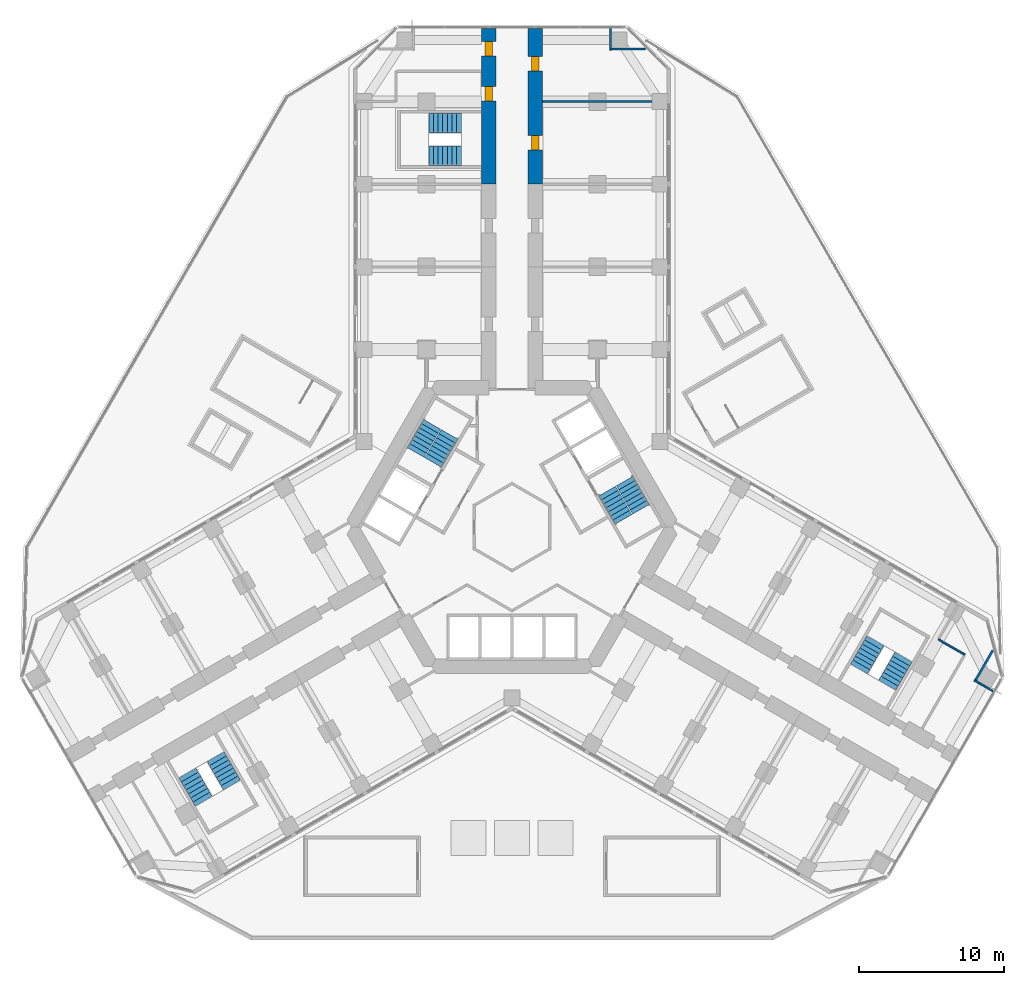
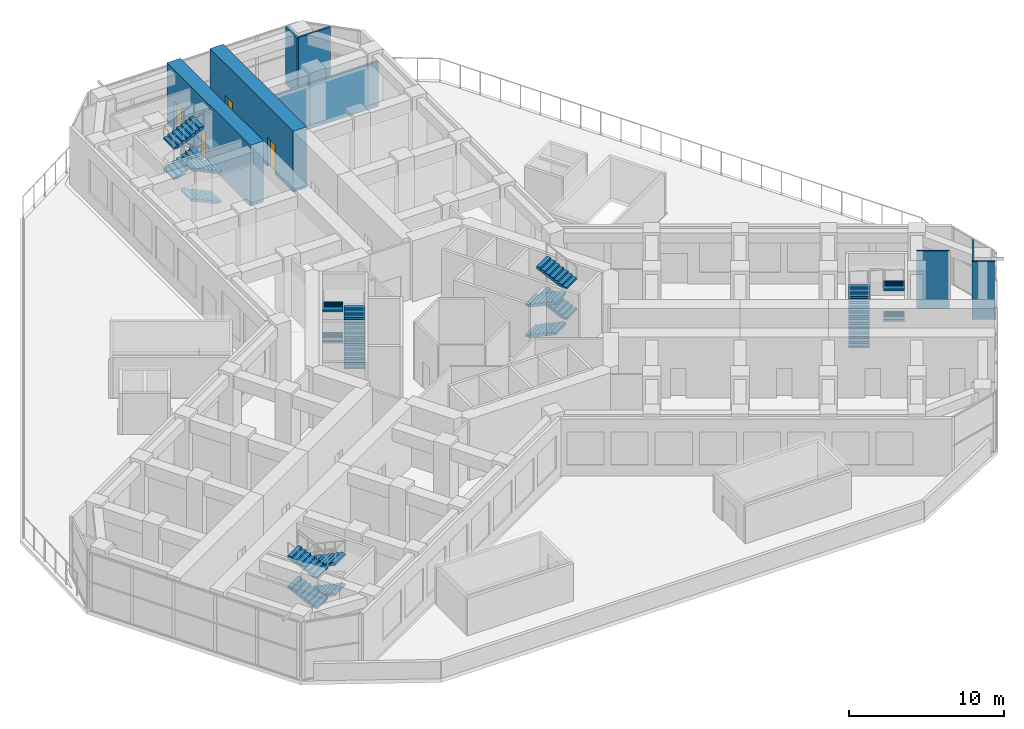
# One storey, part 15 of 18: 20 stair flights, 8 walls, 4 doors, 4 openings, 5 elements without a shape of their own.
"""IFC4 building model written with IfcOpenShell, lengths in metres."""

from ifc_helpers import new_model, si_unit, direction, frame, frame_2d, origin, place, context, subcontext, project, spatial, polyline, rectangle, outline, extrude, material, layer, layer_set, type_object, element, fill, aggregate, save


model = new_model("IFC4")

# Units and contexts
model_context = context("Model", 3, precision=1e-05, world=origin(), true_north=direction((0.0, 1.0)))
body_context = subcontext(model_context, "Body", "Model", "MODEL_VIEW")
ifc_project = project(units=[si_unit("LENGTHUNIT", "METRE"), si_unit("AREAUNIT", "SQUARE_METRE"), si_unit("VOLUMEUNIT", "CUBIC_METRE"), si_unit("PLANEANGLEUNIT", "RADIAN"), si_unit("MASSUNIT", "GRAM", prefix="KILO")], contexts=[model_context])

# Site, building, storey
site_placement = place(None, origin())
site = spatial("IfcSite", under=ifc_project, at=site_placement, CompositionType="ELEMENT")
building_placement = place(site_placement, origin())
building = spatial("IfcBuilding", under=site, at=building_placement, Name="Kosmar Iwan School Tower", CompositionType="ELEMENT")
storey_placement = place(building_placement, frame((0.0, 0.0, 20.39990234375)))
storey = spatial("IfcBuildingStorey", under=building, at=storey_placement, Name="L04", CompositionType="ELEMENT", Elevation=20.39990234375)

# Wall, openings, doors
ifc_material_1 = material(Name="Concrete C50/60", Category="concrete")
ifc_layer_1 = layer(ifc_material_1, 1.0)
ifc_layer_set_1 = layer_set([ifc_layer_1], Name="Corridor buttress wall 1000")
wall_type_1 = type_object("IfcWallType", Name="Corridor buttress wall 1000", PredefinedType="SHEAR", material=ifc_layer_set_1)
wall_1_placement = place(storey_placement, frame((-1.60009765625, 23.64990234375, 0.0), z_axis=(0.0, 0.0, 1.0), x_axis=(0.0, 1.0, 0.0)))
wall_1 = element("IfcWall", 1, at=wall_1_placement, inside=storey, type_object=wall_type_1, Name="Corridor wall AL bay 3", PredefinedType="SHEAR", context=body_context, shape_type="SweptSolid", body=[
    extrude(rectangle(XDim=10.7451171875, YDim=1.0, at=frame_2d((5.37255859375, 0.0))), origin(), (0.0, 0.0, 1.0), 4.800048828125),
])
opening_1_placement = place(wall_1_placement, frame((5.75, 0.0, 0.0)))
opening_1 = element("IfcOpeningElement", 2, at=opening_1_placement, cuts=wall_1, Name="Opening D4", PredefinedType="OPENING", context=body_context, shape_type="SweptSolid", body=[
    extrude(rectangle(XDim=1.0, YDim=2.300048828125, at=frame_2d((0.5, 1.14990234375))), frame((0.0, 0.511962890625, 0.0), z_axis=(0.0, -1.0, 0.0), x_axis=(1.0, 0.0, 0.0)), (0.0, 0.0, 1.0), 1.02392578125),
])
opening_2_placement = place(wall_1_placement, frame((8.860107421875, 0.0, 0.0)))
opening_2 = element("IfcOpeningElement", 3, at=opening_2_placement, cuts=wall_1, Name="Opening D4", PredefinedType="OPENING", context=body_context, shape_type="SweptSolid", body=[
    extrude(rectangle(XDim=1.0, YDim=2.300048828125, at=frame_2d((0.5, 1.14990234375))), frame((0.0, 0.511962890625, 0.0), z_axis=(0.0, -1.0, 0.0), x_axis=(1.0, 0.0, 0.0)), (0.0, 0.0, 1.0), 1.02392578125),
])
ifc_material_2 = material(Name="Timber fire door with vision panel", Category="wood")
door_type = type_object("IfcDoorType", Name="Classroom door 1000x2300", OperationType="SINGLE_SWING_LEFT", PredefinedType="DOOR", material=ifc_material_2)
door_1_placement = place(opening_1_placement, origin())
door_1 = element("IfcDoor", 4, at=door_1_placement, inside=storey, type_object=door_type, Name="Biology laboratory AL door L04-AL3", OperationType="SINGLE_SWING_LEFT", OverallHeight=2.300048828125, OverallWidth=1.0, PredefinedType="DOOR", context=body_context, shape_type="SweptSolid", body=[
    extrude(rectangle(XDim=1.0, YDim=2.300048828125, at=frame_2d((0.5, 1.14990234375))), frame((0.0, 0.25, 0.0), z_axis=(0.0, -1.0, 0.0), x_axis=(1.0, 0.0, 0.0)), (0.0, 0.0, 1.0), 0.5),
])
fill(opening_1, door_1)
door_2_placement = place(opening_2_placement, origin())
door_2 = element("IfcDoor", 5, at=door_2_placement, inside=storey, type_object=door_type, Name="Toilets door L04-AL4", OperationType="SINGLE_SWING_RIGHT", OverallHeight=2.300048828125, OverallWidth=1.0, PredefinedType="DOOR", context=body_context, shape_type="SweptSolid", body=[
    extrude(rectangle(XDim=1.0, YDim=2.300048828125, at=frame_2d((0.5, 1.14990234375))), frame((0.0, 0.25, 0.0), z_axis=(0.0, -1.0, 0.0), x_axis=(1.0, 0.0, 0.0)), (0.0, 0.0, 1.0), 0.5),
])
fill(opening_2, door_2)

wall_2_placement = place(storey_placement, frame((1.60009765625, 23.64990234375, 0.0), z_axis=(0.0, 0.0, 1.0), x_axis=(0.0, 1.0, 0.0)))
wall_2 = element("IfcWall", 6, at=wall_2_placement, inside=storey, type_object=wall_type_1, Name="Corridor wall AR bay 3", PredefinedType="SHEAR", context=body_context, shape_type="SweptSolid", body=[
    extrude(rectangle(XDim=10.7451171875, YDim=1.0, at=frame_2d((5.37255859375, 0.0))), origin(), (0.0, 0.0, 1.0), 4.800048828125),
])
opening_3_placement = place(wall_2_placement, frame((2.35009765625, 0.0, 0.0)))
opening_3 = element("IfcOpeningElement", 7, at=opening_3_placement, cuts=wall_2, Name="Opening D4", PredefinedType="OPENING", context=body_context, shape_type="SweptSolid", body=[
    extrude(rectangle(XDim=1.0, YDim=2.300048828125, at=frame_2d((0.5, 1.14990234375))), frame((0.0, 0.511962890625, 0.0), z_axis=(0.0, -1.0, 0.0), x_axis=(1.0, 0.0, 0.0)), (0.0, 0.0, 1.0), 1.02392578125),
])
opening_4_placement = place(wall_2_placement, frame((7.824951171875, 0.0, 0.0)))
opening_4 = element("IfcOpeningElement", 8, at=opening_4_placement, cuts=wall_2, Name="Opening D4", PredefinedType="OPENING", context=body_context, shape_type="SweptSolid", body=[
    extrude(rectangle(XDim=1.0, YDim=2.300048828125, at=frame_2d((0.5, 1.14990234375))), frame((0.0, 0.511962890625, 0.0), z_axis=(0.0, -1.0, 0.0), x_axis=(1.0, 0.0, 0.0)), (0.0, 0.0, 1.0), 1.02392578125),
])
door_3_placement = place(opening_3_placement, origin())
door_3 = element("IfcDoor", 9, at=door_3_placement, inside=storey, type_object=door_type, Name="Biology laboratory AR door L04-AR3", OperationType="SINGLE_SWING_LEFT", OverallHeight=2.300048828125, OverallWidth=1.0, PredefinedType="DOOR", context=body_context, shape_type="SweptSolid", body=[
    extrude(rectangle(XDim=1.0, YDim=2.300048828125, at=frame_2d((0.5, 1.14990234375))), frame((0.0, 0.25, 0.0), z_axis=(0.0, -1.0, 0.0), x_axis=(1.0, 0.0, 0.0)), (0.0, 0.0, 1.0), 0.5),
])
fill(opening_3, door_3)
door_4_placement = place(opening_4_placement, origin())
door_4 = element("IfcDoor", 10, at=door_4_placement, inside=storey, type_object=door_type, Name="Toilets door L04-AR4", OperationType="SINGLE_SWING_RIGHT", OverallHeight=2.300048828125, OverallWidth=1.0, PredefinedType="DOOR", context=body_context, shape_type="SweptSolid", body=[
    extrude(rectangle(XDim=1.0, YDim=2.300048828125, at=frame_2d((0.5, 1.14990234375))), frame((0.0, 0.25, 0.0), z_axis=(0.0, -1.0, 0.0), x_axis=(1.0, 0.0, 0.0)), (0.0, 0.0, 1.0), 0.5),
])
fill(opening_4, door_4)

# Walls
ifc_material_3 = material(Name="Gypsum board on steel studs", Category="steel")
ifc_layer_2 = layer(ifc_material_3, 0.1201171875)
ifc_layer_set_2 = layer_set([ifc_layer_2], Name="Dwelling partition 120")
wall_type_2 = type_object("IfcWallType", Name="Dwelling partition 120", PredefinedType="PARTITIONING", material=ifc_layer_set_2)
for number, where, z_axis, x_axis, name in (
    (11, (6.7900390625, 32.89990234375, 0.0), (0.0, 0.0, 1.0), (0.0, 1.0, 0.0), "Partition L04-AR-DL"),
    (12, (31.88720703125, -10.569580078125, 0.0), (0.0, 0.0, 1.0), (0.866003374288, -0.500038154266, 0.0), "Partition L04-CL-DL"),
):
    element("IfcWall", number, at=place(storey_placement, frame(where, z_axis=z_axis, x_axis=x_axis)), inside=storey, type_object=wall_type_2, Name=name, PredefinedType="PARTITIONING", context=body_context, shape_type="SweptSolid", body=[
        extrude(rectangle(XDim=1.4951171875, YDim=0.1201171875, at=frame_2d((0.74755859375, 0.0))), origin(), (0.0, 0.0, 1.0), 4.550048828125),
    ])
wall_3_placement = place(storey_placement, frame((29.417724609375, -7.746826171875, 0.0), z_axis=(0.0, 0.0, 1.0), x_axis=(0.866038466041, -0.499977374825, 0.0)))
element("IfcWall", 13, at=wall_3_placement, inside=storey, type_object=wall_type_2, Name="Partition L04-CL-X3L", PredefinedType="PARTITIONING", context=body_context, shape_type="SweptSolid", body=[
    extrude(rectangle(XDim=2.10009765625, YDim=0.1201171875, at=frame_2d((1.050048828125, 0.0))), origin(), (0.0, 0.0, 1.0), 4.550048828125),
])
ifc_material_4 = material(Name="Gypsum board on steel studs", Category="steel")
ifc_layer_3 = layer(ifc_material_4, 0.14990234375)
ifc_layer_set_3 = layer_set([ifc_layer_3], Name="School partition 150")
wall_type_3 = type_object("IfcWallType", Name="School partition 150", PredefinedType="PARTITIONING", material=ifc_layer_set_3)
wall_4_placement = place(storey_placement, frame((6.72998046875, 32.97509765625, 0.0), z_axis=(0.0, 0.0, 1.0), x_axis=(1.0, 0.0, 0.0)))
element("IfcWall", 14, at=wall_4_placement, inside=storey, type_object=wall_type_3, Name="Partition L04-AR-DC", PredefinedType="PARTITIONING", context=body_context, shape_type="SweptSolid", body=[
    extrude(rectangle(XDim=2.480224609375, YDim=0.14990234375, at=frame_2d((1.240234375, 0.0))), origin(), (0.0, 0.0, 1.0), 4.550048828125),
])
wall_5_placement = place(storey_placement, frame((2.10009765625, 29.35009765625, 0.0), z_axis=(0.0, 0.0, 1.0), x_axis=(1.0, 0.0, 0.0)))
element("IfcWall", 15, at=wall_5_placement, inside=storey, type_object=wall_type_3, Name="Partition L04-AR-X3", PredefinedType="PARTITIONING", context=body_context, shape_type="SweptSolid", body=[
    extrude(rectangle(XDim=8.599853515625, YDim=0.14990234375, at=frame_2d((4.2998046875, 0.0))), origin(), (0.0, 0.0, 1.0), 3.550048828125),
])
wall_6_placement = place(storey_placement, frame((31.922119140625, -10.6591796875, 0.0), z_axis=(0.0, 0.0, 1.0), x_axis=(0.500034869029, 0.866005271205, 0.0)))
element("IfcWall", 16, at=wall_6_placement, inside=storey, type_object=wall_type_3, Name="Partition L04-CL-DC", PredefinedType="PARTITIONING", context=body_context, shape_type="SweptSolid", body=[
    extrude(rectangle(XDim=2.480224609375, YDim=0.14990234375, at=frame_2d((1.240234375, 0.0))), origin(), (0.0, 0.0, 1.0), 4.550048828125),
])

# Stair, stair flights
ifc_material_5 = material(Name="Concrete C35/45", Category="concrete")
stair_type_1 = type_object("IfcStairType", Name="Escape stair 3600", PredefinedType="HALF_TURN_STAIR", material=ifc_material_5)
stair_1_placement = place(storey_placement, origin())
stair_1 = element("IfcStair", 17, at=stair_1_placement, inside=storey, type_object=stair_type_1, Name="Stair WS1 L04", PredefinedType="HALF_TURN_STAIR")
ifc_material_6 = material(Name="Concrete C35/45", Category="concrete")
stair_flight_type_1 = type_object("IfcStairFlightType", Name="Escape stair flight 1350", PredefinedType="STRAIGHT", material=ifc_material_6)
stair_flight_1_placement = place(storey_placement, frame((-3.5, 25.625, 0.0), z_axis=(0.0, 0.0, 1.0), x_axis=(-1.0, 0.0, 0.0)))
stair_flight_1 = element("IfcStairFlight", 18, at=stair_flight_1_placement, type_object=stair_flight_type_1, Name="WS1 flight 1", NumberOfRisers=8, NumberOfTreads=7, PredefinedType="STRAIGHT", RiserHeight=0.15, TreadLength=0.32, context=body_context, shape_type="SweptSolid", body=[
    extrude(outline(polyline([(0.0, 0.0), (0.0, 0.14990234375), (0.320068359375, 0.14990234375), (0.320068359375, 0.300048828125), (0.639892578125, 0.300048828125), (0.639892578125, 0.449951171875), (0.9599609375, 0.449951171875), (0.9599609375, 0.60009765625), (1.280029296875, 0.60009765625), (1.280029296875, 0.75), (1.60009765625, 0.75), (1.60009765625, 0.89990234375), (1.919921875, 0.89990234375), (1.919921875, 1.050048828125), (2.239990234375, 1.050048828125), (2.239990234375, 1.199951171875), (2.239990234375, 0.884521484375), (0.353271484375, 0.0), (0.0, 0.0)])), frame((0.0, 0.675048828125, 0.0), z_axis=(0.0, -1.0, 0.0), x_axis=(1.0, 0.0, 0.0)), (0.0, 0.0, 1.0), 1.35009765625),
])
stair_flight_2_placement = place(storey_placement, frame((-5.739990234375, 27.875, 1.2001953125), z_axis=(0.0, 0.0, 1.0), x_axis=(1.0, 0.0, 0.0)))
stair_flight_2 = element("IfcStairFlight", 19, at=stair_flight_2_placement, type_object=stair_flight_type_1, Name="WS1 flight 2", NumberOfRisers=8, NumberOfTreads=7, PredefinedType="STRAIGHT", RiserHeight=0.15, TreadLength=0.32, context=body_context, shape_type="SweptSolid", body=[
    extrude(outline(polyline([(0.0, 0.0), (0.0, 0.14990234375), (0.320068359375, 0.14990234375), (0.320068359375, 0.300048828125), (0.639892578125, 0.300048828125), (0.639892578125, 0.449951171875), (0.9599609375, 0.449951171875), (0.9599609375, 0.60009765625), (1.280029296875, 0.60009765625), (1.280029296875, 0.75), (1.60009765625, 0.75), (1.60009765625, 0.89990234375), (1.919921875, 0.89990234375), (1.919921875, 1.050048828125), (2.239990234375, 1.050048828125), (2.239990234375, 1.199951171875), (2.239990234375, 0.884521484375), (0.353271484375, 0.0), (0.0, 0.0)])), frame((0.0, 0.675048828125, 0.0), z_axis=(0.0, -1.0, 0.0), x_axis=(1.0, 0.0, 0.0)), (0.0, 0.0, 1.0), 1.35009765625),
])
stair_flight_3_placement = place(storey_placement, frame((-3.5, 25.625, 2.400146484375), z_axis=(0.0, 0.0, 1.0), x_axis=(-1.0, 0.0, 0.0)))
stair_flight_3 = element("IfcStairFlight", 20, at=stair_flight_3_placement, type_object=stair_flight_type_1, Name="WS1 flight 3", NumberOfRisers=8, NumberOfTreads=7, PredefinedType="STRAIGHT", RiserHeight=0.15, TreadLength=0.32, context=body_context, shape_type="SweptSolid", body=[
    extrude(outline(polyline([(0.0, 0.0), (0.0, 0.14990234375), (0.320068359375, 0.14990234375), (0.320068359375, 0.300048828125), (0.639892578125, 0.300048828125), (0.639892578125, 0.449951171875), (0.9599609375, 0.449951171875), (0.9599609375, 0.60009765625), (1.280029296875, 0.60009765625), (1.280029296875, 0.75), (1.60009765625, 0.75), (1.60009765625, 0.89990234375), (1.919921875, 0.89990234375), (1.919921875, 1.050048828125), (2.239990234375, 1.050048828125), (2.239990234375, 1.199951171875), (2.239990234375, 0.884521484375), (0.353271484375, 0.0), (0.0, 0.0)])), frame((0.0, 0.675048828125, 0.0), z_axis=(0.0, -1.0, 0.0), x_axis=(1.0, 0.0, 0.0)), (0.0, 0.0, 1.0), 1.35009765625),
])
stair_flight_4_placement = place(storey_placement, frame((-5.739990234375, 27.875, 3.60009765625), z_axis=(0.0, 0.0, 1.0), x_axis=(1.0, 0.0, 0.0)))
stair_flight_4 = element("IfcStairFlight", 21, at=stair_flight_4_placement, type_object=stair_flight_type_1, Name="WS1 flight 4", NumberOfRisers=8, NumberOfTreads=7, PredefinedType="STRAIGHT", RiserHeight=0.15, TreadLength=0.32, context=body_context, shape_type="SweptSolid", body=[
    extrude(outline(polyline([(0.0, 0.0), (0.0, 0.14990234375), (0.320068359375, 0.14990234375), (0.320068359375, 0.300048828125), (0.639892578125, 0.300048828125), (0.639892578125, 0.449951171875), (0.9599609375, 0.449951171875), (0.9599609375, 0.60009765625), (1.280029296875, 0.60009765625), (1.280029296875, 0.75), (1.60009765625, 0.75), (1.60009765625, 0.89990234375), (1.919921875, 0.89990234375), (1.919921875, 1.050048828125), (2.239990234375, 1.050048828125), (2.239990234375, 1.199951171875), (2.239990234375, 0.884521484375), (0.353271484375, 0.0), (0.0, 0.0)])), frame((0.0, 0.675048828125, 0.0), z_axis=(0.0, -1.0, 0.0), x_axis=(1.0, 0.0, 0.0)), (0.0, 0.0, 1.0), 1.35009765625),
])
aggregate(stair_1, [stair_flight_1, stair_flight_2, stair_flight_3, stair_flight_4])

stair_2_placement = place(storey_placement, origin())
stair_2 = element("IfcStair", 22, at=stair_2_placement, inside=storey, type_object=stair_type_1, Name="Stair WS2 L04", PredefinedType="HALF_TURN_STAIR")
stair_flight_5_placement = place(storey_placement, frame((-20.44189453125, -15.843505859375, 0.0), z_axis=(0.0, 0.0, 1.0), x_axis=(0.5, -0.866025403784, 0.0)))
stair_flight_5 = element("IfcStairFlight", 23, at=stair_flight_5_placement, type_object=stair_flight_type_1, Name="WS2 flight 1", NumberOfRisers=8, NumberOfTreads=7, PredefinedType="STRAIGHT", RiserHeight=0.15, TreadLength=0.32, context=body_context, shape_type="SweptSolid", body=[
    extrude(outline(polyline([(0.0, 0.0), (0.0, 0.14990234375), (0.320068359375, 0.14990234375), (0.320068359375, 0.300048828125), (0.639892578125, 0.300048828125), (0.639892578125, 0.449951171875), (0.9599609375, 0.449951171875), (0.9599609375, 0.60009765625), (1.280029296875, 0.60009765625), (1.280029296875, 0.75), (1.60009765625, 0.75), (1.60009765625, 0.89990234375), (1.919921875, 0.89990234375), (1.919921875, 1.050048828125), (2.239990234375, 1.050048828125), (2.239990234375, 1.199951171875), (2.239990234375, 0.884521484375), (0.353271484375, 0.0), (0.0, 0.0)])), frame((0.0, 0.675048828125, 0.0), z_axis=(0.0, -1.0, 0.0), x_axis=(1.0, 0.0, 0.0)), (0.0, 0.0, 1.0), 1.35009765625),
])
stair_flight_6_placement = place(storey_placement, frame((-21.2705078125, -18.908447265625, 1.2001953125), z_axis=(0.0, 0.0, 1.0), x_axis=(-0.5, 0.866025403784, 0.0)))
stair_flight_6 = element("IfcStairFlight", 24, at=stair_flight_6_placement, type_object=stair_flight_type_1, Name="WS2 flight 2", NumberOfRisers=8, NumberOfTreads=7, PredefinedType="STRAIGHT", RiserHeight=0.15, TreadLength=0.32, context=body_context, shape_type="SweptSolid", body=[
    extrude(outline(polyline([(0.0, 0.0), (0.0, 0.14990234375), (0.320068359375, 0.14990234375), (0.320068359375, 0.300048828125), (0.639892578125, 0.300048828125), (0.639892578125, 0.449951171875), (0.9599609375, 0.449951171875), (0.9599609375, 0.60009765625), (1.280029296875, 0.60009765625), (1.280029296875, 0.75), (1.60009765625, 0.75), (1.60009765625, 0.89990234375), (1.919921875, 0.89990234375), (1.919921875, 1.050048828125), (2.239990234375, 1.050048828125), (2.239990234375, 1.199951171875), (2.239990234375, 0.884521484375), (0.353271484375, 0.0), (0.0, 0.0)])), frame((0.0, 0.675048828125, 0.0), z_axis=(0.0, -1.0, 0.0), x_axis=(1.0, 0.0, 0.0)), (0.0, 0.0, 1.0), 1.35009765625),
])
stair_flight_7_placement = place(storey_placement, frame((-20.44189453125, -15.843505859375, 2.400146484375), z_axis=(0.0, 0.0, 1.0), x_axis=(0.5, -0.866025403784, 0.0)))
stair_flight_7 = element("IfcStairFlight", 25, at=stair_flight_7_placement, type_object=stair_flight_type_1, Name="WS2 flight 3", NumberOfRisers=8, NumberOfTreads=7, PredefinedType="STRAIGHT", RiserHeight=0.15, TreadLength=0.32, context=body_context, shape_type="SweptSolid", body=[
    extrude(outline(polyline([(0.0, 0.0), (0.0, 0.14990234375), (0.320068359375, 0.14990234375), (0.320068359375, 0.300048828125), (0.639892578125, 0.300048828125), (0.639892578125, 0.449951171875), (0.9599609375, 0.449951171875), (0.9599609375, 0.60009765625), (1.280029296875, 0.60009765625), (1.280029296875, 0.75), (1.60009765625, 0.75), (1.60009765625, 0.89990234375), (1.919921875, 0.89990234375), (1.919921875, 1.050048828125), (2.239990234375, 1.050048828125), (2.239990234375, 1.199951171875), (2.239990234375, 0.884521484375), (0.353271484375, 0.0), (0.0, 0.0)])), frame((0.0, 0.675048828125, 0.0), z_axis=(0.0, -1.0, 0.0), x_axis=(1.0, 0.0, 0.0)), (0.0, 0.0, 1.0), 1.35009765625),
])
stair_flight_8_placement = place(storey_placement, frame((-21.2705078125, -18.908447265625, 3.60009765625), z_axis=(0.0, 0.0, 1.0), x_axis=(-0.5, 0.866025403784, 0.0)))
stair_flight_8 = element("IfcStairFlight", 26, at=stair_flight_8_placement, type_object=stair_flight_type_1, Name="WS2 flight 4", NumberOfRisers=8, NumberOfTreads=7, PredefinedType="STRAIGHT", RiserHeight=0.15, TreadLength=0.32, context=body_context, shape_type="SweptSolid", body=[
    extrude(outline(polyline([(0.0, 0.0), (0.0, 0.14990234375), (0.320068359375, 0.14990234375), (0.320068359375, 0.300048828125), (0.639892578125, 0.300048828125), (0.639892578125, 0.449951171875), (0.9599609375, 0.449951171875), (0.9599609375, 0.60009765625), (1.280029296875, 0.60009765625), (1.280029296875, 0.75), (1.60009765625, 0.75), (1.60009765625, 0.89990234375), (1.919921875, 0.89990234375), (1.919921875, 1.050048828125), (2.239990234375, 1.050048828125), (2.239990234375, 1.199951171875), (2.239990234375, 0.884521484375), (0.353271484375, 0.0), (0.0, 0.0)])), frame((0.0, 0.675048828125, 0.0), z_axis=(0.0, -1.0, 0.0), x_axis=(1.0, 0.0, 0.0)), (0.0, 0.0, 1.0), 1.35009765625),
])
aggregate(stair_2, [stair_flight_5, stair_flight_6, stair_flight_7, stair_flight_8])

stair_3_placement = place(storey_placement, origin())
stair_3 = element("IfcStair", 27, at=stair_3_placement, inside=storey, type_object=stair_type_1, Name="Stair WS3 L04", PredefinedType="HALF_TURN_STAIR")
stair_flight_9_placement = place(storey_placement, frame((23.94189453125, -9.781494140625, 0.0), z_axis=(0.0, 0.0, 1.0), x_axis=(0.5, 0.866025403784, 0.0)))
stair_flight_9 = element("IfcStairFlight", 28, at=stair_flight_9_placement, type_object=stair_flight_type_1, Name="WS3 flight 1", NumberOfRisers=8, NumberOfTreads=7, PredefinedType="STRAIGHT", RiserHeight=0.15, TreadLength=0.32, context=body_context, shape_type="SweptSolid", body=[
    extrude(outline(polyline([(0.0, 0.0), (0.0, 0.14990234375), (0.320068359375, 0.14990234375), (0.320068359375, 0.300048828125), (0.639892578125, 0.300048828125), (0.639892578125, 0.449951171875), (0.9599609375, 0.449951171875), (0.9599609375, 0.60009765625), (1.280029296875, 0.60009765625), (1.280029296875, 0.75), (1.60009765625, 0.75), (1.60009765625, 0.89990234375), (1.919921875, 0.89990234375), (1.919921875, 1.050048828125), (2.239990234375, 1.050048828125), (2.239990234375, 1.199951171875), (2.239990234375, 0.884521484375), (0.353271484375, 0.0), (0.0, 0.0)])), frame((0.0, 0.675048828125, 0.0), z_axis=(0.0, -1.0, 0.0), x_axis=(1.0, 0.0, 0.0)), (0.0, 0.0, 1.0), 1.35009765625),
])
stair_flight_10_placement = place(storey_placement, frame((27.010498046875, -8.966552734375, 1.2001953125), z_axis=(0.0, 0.0, 1.0), x_axis=(-0.5, -0.866025403784, 0.0)))
stair_flight_10 = element("IfcStairFlight", 29, at=stair_flight_10_placement, type_object=stair_flight_type_1, Name="WS3 flight 2", NumberOfRisers=8, NumberOfTreads=7, PredefinedType="STRAIGHT", RiserHeight=0.15, TreadLength=0.32, context=body_context, shape_type="SweptSolid", body=[
    extrude(outline(polyline([(0.0, 0.0), (0.0, 0.14990234375), (0.320068359375, 0.14990234375), (0.320068359375, 0.300048828125), (0.639892578125, 0.300048828125), (0.639892578125, 0.449951171875), (0.9599609375, 0.449951171875), (0.9599609375, 0.60009765625), (1.280029296875, 0.60009765625), (1.280029296875, 0.75), (1.60009765625, 0.75), (1.60009765625, 0.89990234375), (1.919921875, 0.89990234375), (1.919921875, 1.050048828125), (2.239990234375, 1.050048828125), (2.239990234375, 1.199951171875), (2.239990234375, 0.884521484375), (0.353271484375, 0.0), (0.0, 0.0)])), frame((0.0, 0.675048828125, 0.0), z_axis=(0.0, -1.0, 0.0), x_axis=(1.0, 0.0, 0.0)), (0.0, 0.0, 1.0), 1.35009765625),
])
stair_flight_11_placement = place(storey_placement, frame((23.94189453125, -9.781494140625, 2.400146484375), z_axis=(0.0, 0.0, 1.0), x_axis=(0.5, 0.866025403784, 0.0)))
stair_flight_11 = element("IfcStairFlight", 30, at=stair_flight_11_placement, type_object=stair_flight_type_1, Name="WS3 flight 3", NumberOfRisers=8, NumberOfTreads=7, PredefinedType="STRAIGHT", RiserHeight=0.15, TreadLength=0.32, context=body_context, shape_type="SweptSolid", body=[
    extrude(outline(polyline([(0.0, 0.0), (0.0, 0.14990234375), (0.320068359375, 0.14990234375), (0.320068359375, 0.300048828125), (0.639892578125, 0.300048828125), (0.639892578125, 0.449951171875), (0.9599609375, 0.449951171875), (0.9599609375, 0.60009765625), (1.280029296875, 0.60009765625), (1.280029296875, 0.75), (1.60009765625, 0.75), (1.60009765625, 0.89990234375), (1.919921875, 0.89990234375), (1.919921875, 1.050048828125), (2.239990234375, 1.050048828125), (2.239990234375, 1.199951171875), (2.239990234375, 0.884521484375), (0.353271484375, 0.0), (0.0, 0.0)])), frame((0.0, 0.675048828125, 0.0), z_axis=(0.0, -1.0, 0.0), x_axis=(1.0, 0.0, 0.0)), (0.0, 0.0, 1.0), 1.35009765625),
])
stair_flight_12_placement = place(storey_placement, frame((27.010498046875, -8.966552734375, 3.60009765625), z_axis=(0.0, 0.0, 1.0), x_axis=(-0.5, -0.866025403784, 0.0)))
stair_flight_12 = element("IfcStairFlight", 31, at=stair_flight_12_placement, type_object=stair_flight_type_1, Name="WS3 flight 4", NumberOfRisers=8, NumberOfTreads=7, PredefinedType="STRAIGHT", RiserHeight=0.15, TreadLength=0.32, context=body_context, shape_type="SweptSolid", body=[
    extrude(outline(polyline([(0.0, 0.0), (0.0, 0.14990234375), (0.320068359375, 0.14990234375), (0.320068359375, 0.300048828125), (0.639892578125, 0.300048828125), (0.639892578125, 0.449951171875), (0.9599609375, 0.449951171875), (0.9599609375, 0.60009765625), (1.280029296875, 0.60009765625), (1.280029296875, 0.75), (1.60009765625, 0.75), (1.60009765625, 0.89990234375), (1.919921875, 0.89990234375), (1.919921875, 1.050048828125), (2.239990234375, 1.050048828125), (2.239990234375, 1.199951171875), (2.239990234375, 0.884521484375), (0.353271484375, 0.0), (0.0, 0.0)])), frame((0.0, 0.675048828125, 0.0), z_axis=(0.0, -1.0, 0.0), x_axis=(1.0, 0.0, 0.0)), (0.0, 0.0, 1.0), 1.35009765625),
])
aggregate(stair_3, [stair_flight_9, stair_flight_10, stair_flight_11, stair_flight_12])

ifc_material_7 = material(Name="Concrete C35/45", Category="concrete")
stair_type_2 = type_object("IfcStairType", Name="Core stair 2750", PredefinedType="HALF_TURN_STAIR", material=ifc_material_7)
stair_4_placement = place(storey_placement, origin())
stair_4 = element("IfcStair", 32, at=stair_4_placement, inside=storey, type_object=stair_type_2, Name="Stair ST2 L04", PredefinedType="HALF_TURN_STAIR")
ifc_material_8 = material(Name="Concrete C35/45", Category="concrete")
stair_flight_type_2 = type_object("IfcStairFlightType", Name="Stair flight 1350", PredefinedType="STRAIGHT", material=ifc_material_8)
stair_flight_13_placement = place(storey_placement, frame((-5.42724609375, 4.44970703125, 0.0), z_axis=(0.0, 0.0, 1.0), x_axis=(0.5, 0.866025403784, 0.0)))
stair_flight_13 = element("IfcStairFlight", 33, at=stair_flight_13_placement, type_object=stair_flight_type_2, Name="ST2 flight 1", NumberOfRisers=8, NumberOfTreads=7, PredefinedType="STRAIGHT", RiserHeight=0.15, TreadLength=0.32, context=body_context, shape_type="SweptSolid", body=[
    extrude(outline(polyline([(0.0, 0.0), (0.0, 0.14990234375), (0.320068359375, 0.14990234375), (0.320068359375, 0.300048828125), (0.639892578125, 0.300048828125), (0.639892578125, 0.449951171875), (0.9599609375, 0.449951171875), (0.9599609375, 0.60009765625), (1.280029296875, 0.60009765625), (1.280029296875, 0.75), (1.60009765625, 0.75), (1.60009765625, 0.89990234375), (1.919921875, 0.89990234375), (1.919921875, 1.050048828125), (2.239990234375, 1.050048828125), (2.239990234375, 1.199951171875), (2.239990234375, 0.884521484375), (0.353271484375, 0.0), (0.0, 0.0)])), frame((0.0, 0.675048828125, 0.0), z_axis=(0.0, -1.0, 0.0), x_axis=(1.0, 0.0, 0.0)), (0.0, 0.0, 1.0), 1.35009765625),
])
stair_flight_14_placement = place(storey_placement, frame((-5.519775390625, 7.089599609375, 1.2001953125), z_axis=(0.0, 0.0, 1.0), x_axis=(-0.5, -0.866025403784, 0.0)))
stair_flight_14 = element("IfcStairFlight", 34, at=stair_flight_14_placement, type_object=stair_flight_type_2, Name="ST2 flight 2", NumberOfRisers=8, NumberOfTreads=7, PredefinedType="STRAIGHT", RiserHeight=0.15, TreadLength=0.32, context=body_context, shape_type="SweptSolid", body=[
    extrude(outline(polyline([(0.0, 0.0), (0.0, 0.14990234375), (0.320068359375, 0.14990234375), (0.320068359375, 0.300048828125), (0.639892578125, 0.300048828125), (0.639892578125, 0.449951171875), (0.9599609375, 0.449951171875), (0.9599609375, 0.60009765625), (1.280029296875, 0.60009765625), (1.280029296875, 0.75), (1.60009765625, 0.75), (1.60009765625, 0.89990234375), (1.919921875, 0.89990234375), (1.919921875, 1.050048828125), (2.239990234375, 1.050048828125), (2.239990234375, 1.199951171875), (2.239990234375, 0.884521484375), (0.353271484375, 0.0), (0.0, 0.0)])), frame((0.0, 0.675048828125, 0.0), z_axis=(0.0, -1.0, 0.0), x_axis=(1.0, 0.0, 0.0)), (0.0, 0.0, 1.0), 1.35009765625),
])
stair_flight_15_placement = place(storey_placement, frame((-5.42724609375, 4.44970703125, 2.400146484375), z_axis=(0.0, 0.0, 1.0), x_axis=(0.5, 0.866025403784, 0.0)))
stair_flight_15 = element("IfcStairFlight", 35, at=stair_flight_15_placement, type_object=stair_flight_type_2, Name="ST2 flight 3", NumberOfRisers=8, NumberOfTreads=7, PredefinedType="STRAIGHT", RiserHeight=0.15, TreadLength=0.32, context=body_context, shape_type="SweptSolid", body=[
    extrude(outline(polyline([(0.0, 0.0), (0.0, 0.14990234375), (0.320068359375, 0.14990234375), (0.320068359375, 0.300048828125), (0.639892578125, 0.300048828125), (0.639892578125, 0.449951171875), (0.9599609375, 0.449951171875), (0.9599609375, 0.60009765625), (1.280029296875, 0.60009765625), (1.280029296875, 0.75), (1.60009765625, 0.75), (1.60009765625, 0.89990234375), (1.919921875, 0.89990234375), (1.919921875, 1.050048828125), (2.239990234375, 1.050048828125), (2.239990234375, 1.199951171875), (2.239990234375, 0.884521484375), (0.353271484375, 0.0), (0.0, 0.0)])), frame((0.0, 0.675048828125, 0.0), z_axis=(0.0, -1.0, 0.0), x_axis=(1.0, 0.0, 0.0)), (0.0, 0.0, 1.0), 1.35009765625),
])
stair_flight_16_placement = place(storey_placement, frame((-5.519775390625, 7.089599609375, 3.60009765625), z_axis=(0.0, 0.0, 1.0), x_axis=(-0.5, -0.866025403784, 0.0)))
stair_flight_16 = element("IfcStairFlight", 36, at=stair_flight_16_placement, type_object=stair_flight_type_2, Name="ST2 flight 4", NumberOfRisers=8, NumberOfTreads=7, PredefinedType="STRAIGHT", RiserHeight=0.15, TreadLength=0.32, context=body_context, shape_type="SweptSolid", body=[
    extrude(outline(polyline([(0.0, 0.0), (0.0, 0.14990234375), (0.320068359375, 0.14990234375), (0.320068359375, 0.300048828125), (0.639892578125, 0.300048828125), (0.639892578125, 0.449951171875), (0.9599609375, 0.449951171875), (0.9599609375, 0.60009765625), (1.280029296875, 0.60009765625), (1.280029296875, 0.75), (1.60009765625, 0.75), (1.60009765625, 0.89990234375), (1.919921875, 0.89990234375), (1.919921875, 1.050048828125), (2.239990234375, 1.050048828125), (2.239990234375, 1.199951171875), (2.239990234375, 0.884521484375), (0.353271484375, 0.0), (0.0, 0.0)])), frame((0.0, 0.675048828125, 0.0), z_axis=(0.0, -1.0, 0.0), x_axis=(1.0, 0.0, 0.0)), (0.0, 0.0, 1.0), 1.35009765625),
])
aggregate(stair_4, [stair_flight_13, stair_flight_14, stair_flight_15, stair_flight_16])

stair_5_placement = place(storey_placement, origin())
stair_5 = element("IfcStair", 37, at=stair_5_placement, inside=storey, type_object=stair_type_2, Name="Stair ST1 L04", PredefinedType="HALF_TURN_STAIR")
stair_flight_17_placement = place(storey_placement, frame((6.567138671875, 2.475341796875, 0.0), z_axis=(0.0, 0.0, 1.0), x_axis=(0.5, -0.866025403784, 0.0)))
stair_flight_17 = element("IfcStairFlight", 38, at=stair_flight_17_placement, type_object=stair_flight_type_2, Name="ST1 flight 1", NumberOfRisers=8, NumberOfTreads=7, PredefinedType="STRAIGHT", RiserHeight=0.15, TreadLength=0.32, context=body_context, shape_type="SweptSolid", body=[
    extrude(outline(polyline([(0.0, 0.0), (0.0, 0.14990234375), (0.320068359375, 0.14990234375), (0.320068359375, 0.300048828125), (0.639892578125, 0.300048828125), (0.639892578125, 0.449951171875), (0.9599609375, 0.449951171875), (0.9599609375, 0.60009765625), (1.280029296875, 0.60009765625), (1.280029296875, 0.75), (1.60009765625, 0.75), (1.60009765625, 0.89990234375), (1.919921875, 0.89990234375), (1.919921875, 1.050048828125), (2.239990234375, 1.050048828125), (2.239990234375, 1.199951171875), (2.239990234375, 0.884521484375), (0.353271484375, 0.0), (0.0, 0.0)])), frame((0.0, 0.675048828125, 0.0), z_axis=(0.0, -1.0, 0.0), x_axis=(1.0, 0.0, 0.0)), (0.0, 0.0, 1.0), 1.35009765625),
])
stair_flight_18_placement = place(storey_placement, frame((8.899658203125, 1.2353515625, 1.2001953125), z_axis=(0.0, 0.0, 1.0), x_axis=(-0.5, 0.866025403784, 0.0)))
stair_flight_18 = element("IfcStairFlight", 39, at=stair_flight_18_placement, type_object=stair_flight_type_2, Name="ST1 flight 2", NumberOfRisers=8, NumberOfTreads=7, PredefinedType="STRAIGHT", RiserHeight=0.15, TreadLength=0.32, context=body_context, shape_type="SweptSolid", body=[
    extrude(outline(polyline([(0.0, 0.0), (0.0, 0.14990234375), (0.320068359375, 0.14990234375), (0.320068359375, 0.300048828125), (0.639892578125, 0.300048828125), (0.639892578125, 0.449951171875), (0.9599609375, 0.449951171875), (0.9599609375, 0.60009765625), (1.280029296875, 0.60009765625), (1.280029296875, 0.75), (1.60009765625, 0.75), (1.60009765625, 0.89990234375), (1.919921875, 0.89990234375), (1.919921875, 1.050048828125), (2.239990234375, 1.050048828125), (2.239990234375, 1.199951171875), (2.239990234375, 0.884521484375), (0.353271484375, 0.0), (0.0, 0.0)])), frame((0.0, 0.675048828125, 0.0), z_axis=(0.0, -1.0, 0.0), x_axis=(1.0, 0.0, 0.0)), (0.0, 0.0, 1.0), 1.35009765625),
])
stair_flight_19_placement = place(storey_placement, frame((6.567138671875, 2.475341796875, 2.400146484375), z_axis=(0.0, 0.0, 1.0), x_axis=(0.5, -0.866025403784, 0.0)))
stair_flight_19 = element("IfcStairFlight", 40, at=stair_flight_19_placement, type_object=stair_flight_type_2, Name="ST1 flight 3", NumberOfRisers=8, NumberOfTreads=7, PredefinedType="STRAIGHT", RiserHeight=0.15, TreadLength=0.32, context=body_context, shape_type="SweptSolid", body=[
    extrude(outline(polyline([(0.0, 0.0), (0.0, 0.14990234375), (0.320068359375, 0.14990234375), (0.320068359375, 0.300048828125), (0.639892578125, 0.300048828125), (0.639892578125, 0.449951171875), (0.9599609375, 0.449951171875), (0.9599609375, 0.60009765625), (1.280029296875, 0.60009765625), (1.280029296875, 0.75), (1.60009765625, 0.75), (1.60009765625, 0.89990234375), (1.919921875, 0.89990234375), (1.919921875, 1.050048828125), (2.239990234375, 1.050048828125), (2.239990234375, 1.199951171875), (2.239990234375, 0.884521484375), (0.353271484375, 0.0), (0.0, 0.0)])), frame((0.0, 0.675048828125, 0.0), z_axis=(0.0, -1.0, 0.0), x_axis=(1.0, 0.0, 0.0)), (0.0, 0.0, 1.0), 1.35009765625),
])
stair_flight_20_placement = place(storey_placement, frame((8.899658203125, 1.2353515625, 3.60009765625), z_axis=(0.0, 0.0, 1.0), x_axis=(-0.5, 0.866025403784, 0.0)))
stair_flight_20 = element("IfcStairFlight", 41, at=stair_flight_20_placement, type_object=stair_flight_type_2, Name="ST1 flight 4", NumberOfRisers=8, NumberOfTreads=7, PredefinedType="STRAIGHT", RiserHeight=0.15, TreadLength=0.32, context=body_context, shape_type="SweptSolid", body=[
    extrude(outline(polyline([(0.0, 0.0), (0.0, 0.14990234375), (0.320068359375, 0.14990234375), (0.320068359375, 0.300048828125), (0.639892578125, 0.300048828125), (0.639892578125, 0.449951171875), (0.9599609375, 0.449951171875), (0.9599609375, 0.60009765625), (1.280029296875, 0.60009765625), (1.280029296875, 0.75), (1.60009765625, 0.75), (1.60009765625, 0.89990234375), (1.919921875, 0.89990234375), (1.919921875, 1.050048828125), (2.239990234375, 1.050048828125), (2.239990234375, 1.199951171875), (2.239990234375, 0.884521484375), (0.353271484375, 0.0), (0.0, 0.0)])), frame((0.0, 0.675048828125, 0.0), z_axis=(0.0, -1.0, 0.0), x_axis=(1.0, 0.0, 0.0)), (0.0, 0.0, 1.0), 1.35009765625),
])
aggregate(stair_5, [stair_flight_17, stair_flight_18, stair_flight_19, stair_flight_20])

save(model, "model.ifc")
